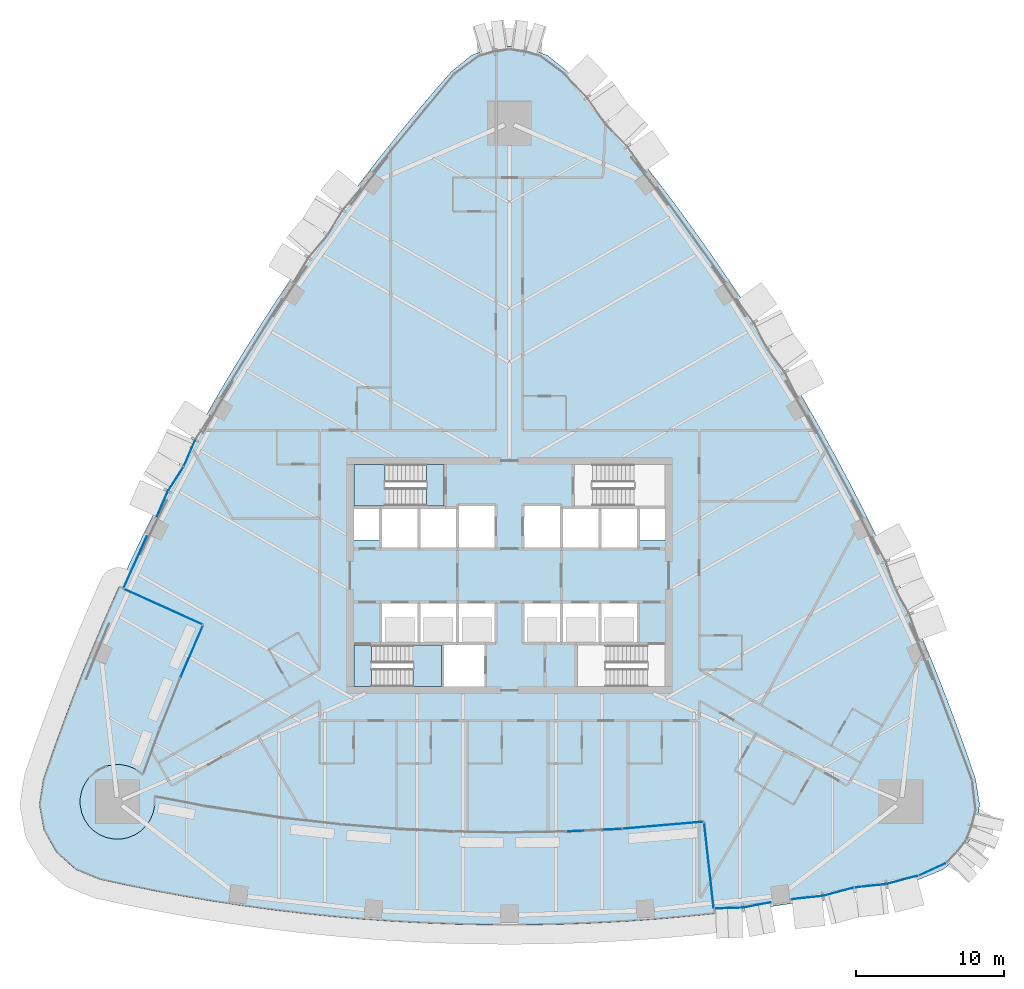
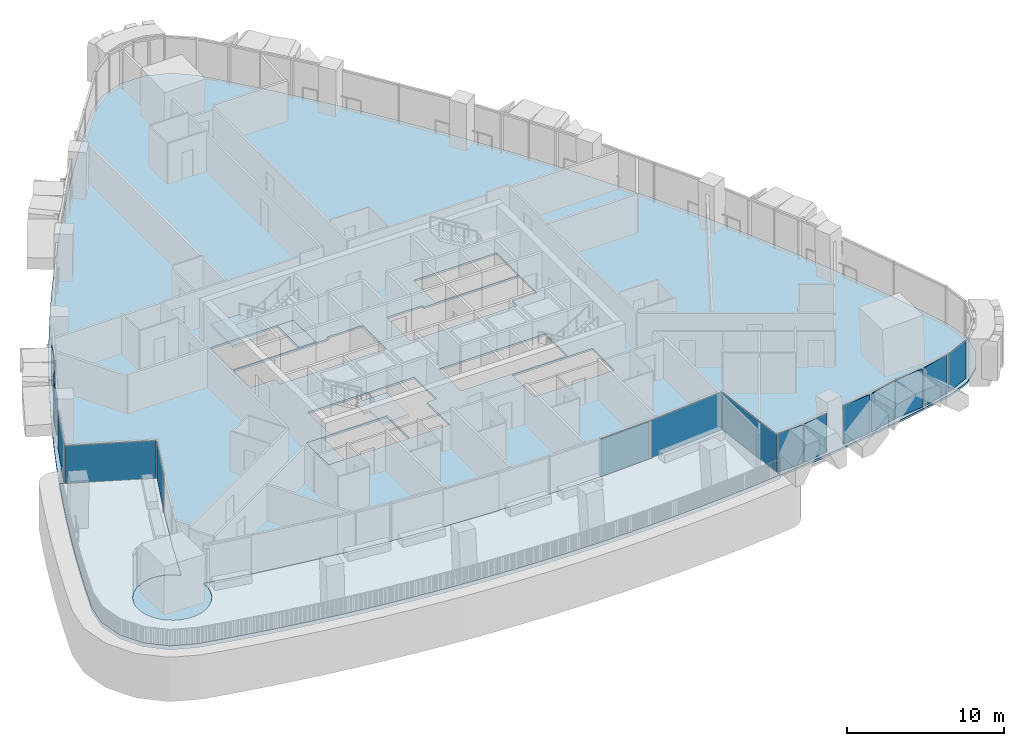
# One storey, part 9 of 22: 16 plates, 6 slabs, 12 elements without a shape of their own.
"""IFC4 building model written with IfcOpenShell, lengths in metres."""

import ifcopenshell
import ifcopenshell.guid

model = None  # the IFC model being written
_history = None  # IfcOwnerHistory: only IFC2X3 demands one
_inside = {}  # id of a spatial element -> (the spatial element, [elements in it])
_under = {}  # id of a project, library or spatial element -> (it, [spatial elements below it])
_declared = {}  # id of a project -> (the project, [libraries it declares])
_typed = {}  # id of a type object -> (the type object, [elements of that type])
_made_of = {}  # id of a material, layer set ... -> (it, [elements and type objects made of it])


def new_model(schema):
    """Start an empty IFC model of exactly this schema.

    Asked for "IFC4X3", IfcOpenShell would pick the latest addendum, in which some entities
    have other attributes; the version numbers below select the first issue.
    IFC2X3 requires an IfcOwnerHistory on every rooted entity: one is made here for all.
    """
    global model, _history
    if schema == "IFC4X3":
        model = ifcopenshell.file(schema_version=(4, 3, 0, 0))
    else:
        model = ifcopenshell.file(schema=schema)
    _inside.clear()
    _under.clear()
    _declared.clear()
    _typed.clear()
    _made_of.clear()
    _history = None
    if model.schema == "IFC2X3":
        org = make("IfcOrganization", Name="unknown")
        user = make(
            "IfcPersonAndOrganization",
            ThePerson=make("IfcPerson", FamilyName="unknown"),
            TheOrganization=org,
        )
        app = make(
            "IfcApplication",
            ApplicationDeveloper=org,
            Version="unknown",
            ApplicationFullName="unknown",
            ApplicationIdentifier="unknown",
        )
        _history = make(
            "IfcOwnerHistory",
            OwningUser=user,
            OwningApplication=app,
            ChangeAction="ADDED",
            CreationDate=0,
        )
    return model


def make(cls, **values):
    """One entity of the class cls with the attributes given. An attribute that is None is left unset."""
    return model.create_entity(
        cls, **{name: value for name, value in values.items() if value is not None}
    )


def rooted(cls, **values):
    """An entity with a GlobalId (a new one), such as an element, a storey or a relation."""
    return make(cls, GlobalId=ifcopenshell.guid.new(), OwnerHistory=_history, **values)


def si_unit(unit_type, name, prefix=None):
    """IfcSIUnit, for example si_unit("LENGTHUNIT", "METRE", prefix="MILLI")."""
    return make("IfcSIUnit", UnitType=unit_type, Prefix=prefix, Name=name)


def assignment(units):
    """IfcUnitAssignment: the units of a project."""
    return None if units is None else make("IfcUnitAssignment", Units=units)


def point(xyz):
    """IfcCartesianPoint."""
    return None if xyz is None else make("IfcCartesianPoint", Coordinates=xyz)


def direction(xyz):
    """IfcDirection."""
    return None if xyz is None else make("IfcDirection", DirectionRatios=xyz)


def frame(location, z_axis=None, x_axis=None):
    """IfcAxis2Placement3D, a coordinate frame: its origin and axes. An axis left out is left unset."""
    return make(
        "IfcAxis2Placement3D",
        Location=point(location),
        Axis=direction(z_axis),
        RefDirection=direction(x_axis),
    )


def frame_2d(location, x_axis=None):
    """IfcAxis2Placement2D, a coordinate frame in the plane: its origin and x axis."""
    return make(
        "IfcAxis2Placement2D", Location=point(location), RefDirection=direction(x_axis)
    )


def origin():
    """The frame at (0, 0, 0) with its axes left unset."""
    return frame((0.0, 0.0, 0.0))


def origin_2d():
    """The frame at (0, 0) in the plane with its x axis left unset."""
    return frame_2d((0.0, 0.0))


def place(relative_to, where):
    """IfcLocalPlacement: puts the frame where relative to a parent placement (None: the world)."""
    return make(
        "IfcLocalPlacement", PlacementRelTo=relative_to, RelativePlacement=where
    )


def context(
    kind, dimensions, precision=None, world=None, true_north=None, identifier=None
):
    """IfcGeometricRepresentationContext, for example the 3D "Model" context."""
    return make(
        "IfcGeometricRepresentationContext",
        ContextIdentifier=identifier,
        ContextType=kind,
        CoordinateSpaceDimension=dimensions,
        Precision=precision,
        WorldCoordinateSystem=world,
        TrueNorth=true_north,
    )


def subcontext(parent, identifier, kind, view, scale=None):
    """IfcGeometricRepresentationSubContext, for example "Body" below "Model"."""
    return make(
        "IfcGeometricRepresentationSubContext",
        ContextIdentifier=identifier,
        ContextType=kind,
        ParentContext=parent,
        TargetScale=scale,
        TargetView=view,
    )


def project(units=None, contexts=None):
    """IfcProject with its units and contexts."""
    return rooted(
        "IfcProject",
        Name="project",
        RepresentationContexts=contexts,
        UnitsInContext=assignment(units),
    )


def spatial(cls, under=None, at=None, **own):
    """A site, building, storey or space (cls), placed at a placement, below another one or the project."""
    s = rooted(cls, ObjectPlacement=at, **own)
    if under is not None:
        _under.setdefault(under.id(), (under, []))[1].append(s)
    return s


def polyline(points):
    """IfcPolyline through the points."""
    return make("IfcPolyline", Points=[point(p) for p in points])


def profile(cls, at=None, kind="AREA", **sizes):
    """A parametric profile (cls). Its sizes go by their IFC names, for example OverallWidth=200.0."""
    return make(cls, ProfileType=kind, Position=at, **sizes)


def rectangle(**sizes):
    """IfcRectangleProfileDef."""
    return profile("IfcRectangleProfileDef", **sizes)


def outline(outer, holes=None, kind="AREA"):
    """IfcArbitraryClosedProfileDef: a profile drawn as a closed curve; with holes, ...WithVoids."""
    if holes is None:
        return make("IfcArbitraryClosedProfileDef", ProfileType=kind, OuterCurve=outer)
    return make(
        "IfcArbitraryProfileDefWithVoids",
        ProfileType=kind,
        OuterCurve=outer,
        InnerCurves=holes,
    )


def extrude(swept, where, along, depth):
    """IfcExtrudedAreaSolid: the profile swept, set in the frame where, extruded along a direction by depth."""
    return make(
        "IfcExtrudedAreaSolid",
        SweptArea=swept,
        Position=where,
        ExtrudedDirection=direction(along),
        Depth=depth,
    )


def shape(context_of_items, identifier, shape_type, items):
    """IfcShapeRepresentation: the items that make up one representation, for example the "Body"."""
    return make(
        "IfcShapeRepresentation",
        ContextOfItems=context_of_items,
        RepresentationIdentifier=identifier,
        RepresentationType=shape_type,
        Items=items,
    )


def material(Name=None, Category=None):
    """IfcMaterial."""
    return make("IfcMaterial", Name=Name, Category=Category)


def layer(
    of_material, thickness, ventilated=None, Name=None, Category=None, Priority=None
):
    """IfcMaterialLayer: one layer of a wall or slab, of a material (None: an air gap)."""
    return make(
        "IfcMaterialLayer",
        Material=of_material,
        LayerThickness=thickness,
        IsVentilated=ventilated,
        Name=Name,
        Category=Category,
        Priority=Priority,
    )


def layer_set(layers, Name=None):
    """IfcMaterialLayerSet."""
    return make("IfcMaterialLayerSet", MaterialLayers=layers, LayerSetName=Name)


def made_of(thing, what):
    """Note that an element or type object is made of a material, layer set ...; save() writes the relation."""
    if what is not None:
        _made_of.setdefault(what.id(), (what, []))[1].append(thing)
    return thing


def type_object(cls, material=None, **own):
    """A type object (cls), such as IfcWallType, which elements share."""
    return made_of(rooted(cls, **own), material)


def element(
    cls,
    number,
    at=None,
    inside=None,
    cuts=None,
    type_object=None,
    material=None,
    context=None,
    identifier="Body",
    shape_type=None,
    held_by="IfcProductDefinitionShape",
    body=None,
    shapes=None,
    **own,
):
    """One element of the class cls, such as IfcWall. Its Tag is "e" and its number.

    at: its placement. inside: the storey or other place that contains it. cuts: it is an
    opening in that element (IfcRelVoidsElement). A single representation is given by context,
    identifier, shape_type and body (its items); several are given by shapes. held_by: the class
    of the entity that holds the representations. save() writes the other relations.
    """
    e = rooted(cls, Tag="e%d" % number, ObjectPlacement=at, **own)
    if body is not None:
        shapes = [shape(context, identifier, shape_type, body)]
    if shapes is not None:
        e.Representation = make(held_by, Representations=shapes)
    if inside is not None:
        _inside.setdefault(inside.id(), (inside, []))[1].append(e)
    if cuts is not None:
        rooted(
            "IfcRelVoidsElement", RelatingBuildingElement=cuts, RelatedOpeningElement=e
        )
    if type_object is not None:
        _typed.setdefault(type_object.id(), (type_object, []))[1].append(e)
    return made_of(e, material)


def aggregate(whole, parts):
    """IfcRelAggregates: a whole, such as a stair, and the parts it consists of."""
    return rooted("IfcRelAggregates", RelatingObject=whole, RelatedObjects=parts)


def save(model, path):
    """Write the relations noted so far, then the file.

    IfcRelAggregates (storeys below a building ...), IfcRelContainedInSpatialStructure (elements
    in a storey), IfcRelDefinesByType, IfcRelAssociatesMaterial and IfcRelDeclares: one each for
    every whole, place, type object, material and project.
    """
    for whole, parts in _under.values():
        aggregate(whole, parts)
    for where, things in _inside.values():
        rooted(
            "IfcRelContainedInSpatialStructure",
            RelatedElements=things,
            RelatingStructure=where,
        )
    for kind, things in _typed.values():
        rooted("IfcRelDefinesByType", RelatedObjects=things, RelatingType=kind)
    for what, things in _made_of.values():
        rooted("IfcRelAssociatesMaterial", RelatedObjects=things, RelatingMaterial=what)
    for by, libraries in _declared.values():
        rooted("IfcRelDeclares", RelatingContext=by, RelatedDefinitions=libraries)
    model.write(path)


model = new_model("IFC4")

# Units and contexts
model_context = context("Model", 3, precision=1e-05, world=origin(), true_north=direction((0.0, 1.0)))
body_context = subcontext(model_context, "Body", "Model", "MODEL_VIEW")
ifc_project = project(units=[si_unit("LENGTHUNIT", "METRE"), si_unit("AREAUNIT", "SQUARE_METRE"), si_unit("VOLUMEUNIT", "CUBIC_METRE"), si_unit("PLANEANGLEUNIT", "RADIAN"), si_unit("MASSUNIT", "GRAM", prefix="KILO")], contexts=[model_context])

# Site, building, storey
site_placement = place(None, origin())
site = spatial("IfcSite", under=ifc_project, at=site_placement, CompositionType="ELEMENT")
building_placement = place(site_placement, origin())
building = spatial("IfcBuilding", under=site, at=building_placement, Name="Sierra Prisma Convention Tower", CompositionType="ELEMENT")
storey_placement = place(building_placement, frame((0.0, 0.0, 73.89990234375)))
storey = spatial("IfcBuildingStorey", under=building, at=storey_placement, Name="L14", CompositionType="ELEMENT", Elevation=73.89990234375)

# Curtain wall, plate
ifc_material_1 = material(Name="Aluminium and glass curtain wall", Category="aluminium")
ifc_layer_1 = layer(ifc_material_1, 0.179931640625)
ifc_layer_set_1 = layer_set([ifc_layer_1], Name="CW-1 Plain shaft curtain wall")
curtain_wall_type_1 = type_object("IfcCurtainWallType", Name="CW-1 Plain shaft curtain wall", PredefinedType="NOTDEFINED", material=ifc_layer_set_1)
curtain_wall_1_placement = place(storey_placement, origin())
curtain_wall_1 = element("IfcCurtainWall", 1, at=curtain_wall_1_placement, inside=storey, type_object=curtain_wall_type_1, Name="CW-1 SE1 L14", PredefinedType="NOTDEFINED")
ifc_material_2 = material(Name="Tinted glass bronze-grey IGU", Category="glass")
ifc_layer_2 = layer(ifc_material_2, 0.028076171875)
ifc_layer_set_2 = layer_set([ifc_layer_2], Name="CW-1 glass panel")
plate_type_1 = type_object("IfcPlateType", Name="CW-1 glass panel", PredefinedType="CURTAIN_PANEL", material=ifc_layer_set_2)
plate_1_placement = place(storey_placement, frame((28.529541015625, -19.82958984375, 0.0), z_axis=(0.0, 0.0, 1.0), x_axis=(0.908544332515, 0.41778845826, 0.0)))
plate_1 = element("IfcPlate", 2, at=plate_1_placement, type_object=plate_type_1, Name="CW-1 panel SE1.1", PredefinedType="CURTAIN_PANEL", context=body_context, shape_type="SweptSolid", body=[
    extrude(rectangle(XDim=1.927001953125, YDim=0.028076171875, at=origin_2d()), origin(), (0.0, 0.0, 1.0), 2.97998046875),
])
aggregate(curtain_wall_1, [plate_1])

curtain_wall_2_placement = place(storey_placement, origin())
curtain_wall_2 = element("IfcCurtainWall", 3, at=curtain_wall_2_placement, inside=storey, type_object=curtain_wall_type_1, Name="CW-1 NW5 L14", PredefinedType="NOTDEFINED")
plate_2_placement = place(storey_placement, frame((-25.250732421875, 0.8984375, 0.0), z_axis=(0.0, 0.0, 1.0), x_axis=(-0.410964756687, -0.911651231975, 0.0)))
plate_2 = element("IfcPlate", 4, at=plate_2_placement, type_object=plate_type_1, Name="CW-1 panel NW5.1", PredefinedType="CURTAIN_PANEL", context=body_context, shape_type="SweptSolid", body=[
    extrude(rectangle(XDim=3.789794921875, YDim=0.028076171875, at=origin_2d()), origin(), (0.0, 0.0, 1.0), 2.97998046875),
])
aggregate(curtain_wall_2, [plate_2])

# Curtain wall, plates
ifc_material_3 = material(Name="Aluminium and glass curtain wall", Category="aluminium")
ifc_layer_3 = layer(ifc_material_3, 0.179931640625)
ifc_layer_set_3 = layer_set([ifc_layer_3], Name="CW-2 Faceted crystal curtain wall")
curtain_wall_type_2 = type_object("IfcCurtainWallType", Name="CW-2 Faceted crystal curtain wall", PredefinedType="NOTDEFINED", material=ifc_layer_set_3)
curtain_wall_3_placement = place(storey_placement, origin())
curtain_wall_3 = element("IfcCurtainWall", 5, at=curtain_wall_3_placement, inside=storey, type_object=curtain_wall_type_2, Name="CW-2 S5b L14", PredefinedType="NOTDEFINED")
ifc_material_4 = material(Name="Tinted glass bronze-grey IGU", Category="glass")
ifc_layer_4 = layer(ifc_material_4, 0.028076171875)
ifc_layer_set_4 = layer_set([ifc_layer_4], Name="CW-2 crystal pane")
plate_type_2 = type_object("IfcPlateType", Name="CW-2 crystal pane", PredefinedType="CURTAIN_PANEL", material=ifc_layer_set_4)
plate_3_placement = place(storey_placement, frame((13.852783203125, -22.484619140625, 0.0), z_axis=(0.031772030991, -0.999495141582, 0.0), x_axis=(0.999495141582, 0.031772030991, 0.0)))
plate_3 = element("IfcPlate", 6, at=plate_3_placement, type_object=plate_type_2, Name="CW-2 pane S5b.1.1", PredefinedType="CURTAIN_PANEL", context=body_context, shape_type="SweptSolid", body=[
    extrude(outline(polyline([(0.0, 0.0), (1.8441927749962221, 0.0), (1.8441927749962221, 2.97998046875), (0.0, 2.97998046875), (0.0, 0.0)])), origin(), (0.0, 0.0, -1.0), 0.028076171875),
])
plate_4_placement = place(storey_placement, frame((17.63623046875, -22.065673828125, 0.0), z_axis=(0.187732606219, -0.98222017316, 0.0), x_axis=(-0.98222017316, -0.187732606219, 0.0)))
plate_4 = element("IfcPlate", 7, at=plate_4_placement, type_object=plate_type_2, Name="CW-2 pane S5b.1.2", PredefinedType="CURTAIN_PANEL", context=body_context, shape_type="SweptSolid", body=[
    extrude(outline(polyline([(0.0, 0.0), (1.8440664795633988, 0.0), (1.8440664795633988, -2.97998046875), (0.0, -2.97998046875), (0.0, 0.0)])), origin(), (0.0, 0.0, -1.0), 0.028076171875),
])
aggregate(curtain_wall_3, [plate_3, plate_4])

curtain_wall_4_placement = place(storey_placement, origin())
curtain_wall_4 = element("IfcCurtainWall", 8, at=curtain_wall_4_placement, inside=storey, type_object=curtain_wall_type_2, Name="CW-2 S6 L14", PredefinedType="NOTDEFINED")
plate_5_placement = place(storey_placement, frame((18.999755859375, -21.862060546875, 0.0), z_axis=(0.105523279366, -0.994416832878, 0.0), x_axis=(0.994416832878, 0.105523279366, 0.0)))
plate_5 = element("IfcPlate", 9, at=plate_5_placement, type_object=plate_type_2, Name="CW-2 pane S6.1.1", PredefinedType="CURTAIN_PANEL", context=body_context, shape_type="SweptSolid", body=[
    extrude(outline(polyline([(0.0, 0.0), (2.09151124117131, 0.0), (2.09151124117131, 2.97998046875), (0.0, 2.97998046875), (0.0, 0.0)])), origin(), (0.0, 0.0, -1.0), 0.028076171875),
])
plate_6_placement = place(storey_placement, frame((23.226318359375, -21.074462890625, 0.0), z_axis=(0.259747392498, -0.965676598086, 0.0), x_axis=(-0.965676598086, -0.259747392498, 0.0)))
plate_6 = element("IfcPlate", 10, at=plate_6_placement, type_object=plate_type_2, Name="CW-2 pane S6.1.2", PredefinedType="CURTAIN_PANEL", context=body_context, shape_type="SweptSolid", body=[
    extrude(outline(polyline([(0.0, 0.0), (2.091312199139031, 0.0), (2.091312199139031, -2.97998046875), (0.0, -2.97998046875), (0.0, 0.0)])), origin(), (0.0, 0.0, -1.0), 0.028076171875),
])
plate_7_placement = place(storey_placement, frame((23.295166015625, -21.061767578125, 0.0), z_axis=(0.105535529666, -0.994415532852, 0.0), x_axis=(0.994415532852, 0.105535529666, 0.0)))
plate_7 = element("IfcPlate", 11, at=plate_7_placement, type_object=plate_type_2, Name="CW-2 pane S6.2.1", PredefinedType="CURTAIN_PANEL", context=body_context, shape_type="SweptSolid", body=[
    extrude(outline(polyline([(0.0, 0.0), (2.091268463782906, 0.0), (2.091268463782906, 2.97998046875), (0.0, 2.97998046875), (0.0, 0.0)])), origin(), (0.0, 0.0, -1.0), 0.028076171875),
])
plate_8_placement = place(storey_placement, frame((27.521728515625, -20.274169921875, 0.0), z_axis=(0.259747392498, -0.965676598086, 0.0), x_axis=(-0.965676598086, -0.259747392498, 0.0)))
plate_8 = element("IfcPlate", 12, at=plate_8_placement, type_object=plate_type_2, Name="CW-2 pane S6.2.2", PredefinedType="CURTAIN_PANEL", context=body_context, shape_type="SweptSolid", body=[
    extrude(outline(polyline([(0.0, 0.0), (2.091312199139031, 0.0), (2.091312199139031, -2.97998046875), (0.0, -2.97998046875), (0.0, 0.0)])), origin(), (0.0, 0.0, -1.0), 0.028076171875),
])
aggregate(curtain_wall_4, [plate_5, plate_6, plate_7, plate_8])

curtain_wall_5_placement = place(storey_placement, origin())
curtain_wall_5 = element("IfcCurtainWall", 13, at=curtain_wall_5_placement, inside=storey, type_object=curtain_wall_type_2, Name="CW-2 NW4 L14", PredefinedType="NOTDEFINED")
plate_9_placement = place(storey_placement, frame((-21.9833984375, 7.387451171875, 0.0), z_axis=(-0.916555932262, 0.39990651787, 0.0), x_axis=(0.39990651787, 0.916555932262, 0.0)))
plate_9 = element("IfcPlate", 14, at=plate_9_placement, type_object=plate_type_2, Name="CW-2 pane NW4.1.2", PredefinedType="CURTAIN_PANEL", context=body_context, shape_type="SweptSolid", body=[
    extrude(outline(polyline([(0.0, 0.0), (1.8675018748180778, 0.0), (1.8675018748180778, -2.97998046875), (0.0, -2.97998046875), (0.0, 0.0)])), origin(), (0.0, 0.0, -1.0), 0.028076171875),
])
plate_10_placement = place(storey_placement, frame((-22.01611328125, 7.32568359375, 0.0), z_axis=(-0.842750620632, 0.538304181133, 0.0), x_axis=(-0.538304181133, -0.842750620632, 0.0)))
plate_10 = element("IfcPlate", 15, at=plate_10_placement, type_object=plate_type_2, Name="CW-2 pane NW4.2.1", PredefinedType="CURTAIN_PANEL", context=body_context, shape_type="SweptSolid", body=[
    extrude(outline(polyline([(0.0, 0.0), (1.8676635422648418, 0.0), (1.8676635422648418, 2.9799804687500004), (0.0, 2.9799804687500004), (0.0, 0.0)])), origin(), (0.0, 0.0, -1.0), 0.028076171875),
])
plate_11_placement = place(storey_placement, frame((-23.829345703125, 3.92578125, 0.0), z_axis=(-0.916555932262, 0.39990651787, 0.0), x_axis=(0.39990651787, 0.916555932262, 0.0)))
plate_11 = element("IfcPlate", 16, at=plate_11_placement, type_object=plate_type_2, Name="CW-2 pane NW4.2.2", PredefinedType="CURTAIN_PANEL", context=body_context, shape_type="SweptSolid", body=[
    extrude(outline(polyline([(0.0, 0.0), (1.8675018748180778, 0.0), (1.8675018748180778, -2.97998046875), (0.0, -2.97998046875), (0.0, 0.0)])), origin(), (0.0, 0.0, -1.0), 0.028076171875),
])
aggregate(curtain_wall_5, [plate_9, plate_10, plate_11])

# Curtain wall, plate
ifc_material_5 = material(Name="Aluminium and glass curtain wall", Category="aluminium")
ifc_layer_5 = layer(ifc_material_5, 0.179931640625)
ifc_layer_set_5 = layer_set([ifc_layer_5], Name="CW-6 Terrace recess curtain wall")
curtain_wall_type_3 = type_object("IfcCurtainWallType", Name="CW-6 Terrace recess curtain wall", PredefinedType="NOTDEFINED", material=ifc_layer_set_5)
curtain_wall_6_placement = place(storey_placement, origin())
curtain_wall_6 = element("IfcCurtainWall", 17, at=curtain_wall_6_placement, inside=storey, type_object=curtain_wall_type_3, Name="CW-6 R1 L14", PredefinedType="NOTDEFINED")
ifc_material_6 = material(Name="Tinted glass bronze-grey IGU", Category="glass")
ifc_layer_6 = layer(ifc_material_6, 0.028076171875)
ifc_layer_set_6 = layer_set([ifc_layer_6], Name="CW-6 glass panel")
plate_type_3 = type_object("IfcPlateType", Name="CW-6 glass panel", PredefinedType="CURTAIN_PANEL", material=ifc_layer_set_6)
plate_12_placement = place(storey_placement, frame((-21.427978515625, -5.1015625, 0.000244140625), z_axis=(0.0, 0.0, 1.0), x_axis=(-0.398381731979, -0.917219709571, 0.0)))
plate_12 = element("IfcPlate", 18, at=plate_12_placement, type_object=plate_type_3, Name="CW-6 panel R1.1", PredefinedType="CURTAIN_PANEL", context=body_context, shape_type="SweptSolid", body=[
    extrude(rectangle(XDim=3.728271484375, YDim=0.028076171875, at=origin_2d()), origin(), (0.0, 0.0, 1.0), 2.919921875),
])
aggregate(curtain_wall_6, [plate_12])

curtain_wall_7_placement = place(storey_placement, origin())
curtain_wall_7 = element("IfcCurtainWall", 19, at=curtain_wall_7_placement, inside=storey, type_object=curtain_wall_type_3, Name="CW-6 R38 L14", PredefinedType="NOTDEFINED")
plate_13_placement = place(storey_placement, frame((5.6728515625, -17.18505859375, 0.000244140625), z_axis=(0.0, 0.0, 1.0), x_axis=(0.998869669681, 0.047532967413, 0.0)))
plate_13 = element("IfcPlate", 20, at=plate_13_placement, type_object=plate_type_3, Name="CW-6 panel R38.1", PredefinedType="CURTAIN_PANEL", context=body_context, shape_type="SweptSolid", body=[
    extrude(rectangle(XDim=3.6435546875, YDim=0.028076171875, at=origin_2d()), origin(), (0.0, 0.0, 1.0), 2.919921875),
])
aggregate(curtain_wall_7, [plate_13])

curtain_wall_8_placement = place(storey_placement, origin())
curtain_wall_8 = element("IfcCurtainWall", 21, at=curtain_wall_8_placement, inside=storey, type_object=curtain_wall_type_3, Name="CW-6 R39 L14", PredefinedType="NOTDEFINED")
plate_14_placement = place(storey_placement, frame((10.347412109375, -16.85205078125, 0.000244140625), z_axis=(0.0, 0.0, 1.0), x_axis=(0.996212956637, 0.086946794241, 0.0)))
plate_14 = element("IfcPlate", 22, at=plate_14_placement, type_object=plate_type_3, Name="CW-6 panel R39.1", PredefinedType="CURTAIN_PANEL", context=body_context, shape_type="SweptSolid", body=[
    extrude(rectangle(XDim=5.45068359375, YDim=0.028076171875, at=origin_2d()), origin(), (0.0, 0.0, 1.0), 2.919921875),
])
aggregate(curtain_wall_8, [plate_14])

curtain_wall_9_placement = place(storey_placement, origin())
curtain_wall_9 = element("IfcCurtainWall", 23, at=curtain_wall_9_placement, inside=storey, type_object=curtain_wall_type_3, Name="CW-6 RT1 L14", PredefinedType="NOTDEFINED")
plate_15_placement = place(storey_placement, frame((-23.357666015625, -2.110107421875, 0.000244140625), z_axis=(0.0, 0.0, 1.0), x_axis=(0.911651231975, -0.410964756687, 0.0)))
plate_15 = element("IfcPlate", 24, at=plate_15_placement, type_object=plate_type_3, Name="CW-6 panel RT1.1", PredefinedType="CURTAIN_PANEL", context=body_context, shape_type="SweptSolid", body=[
    extrude(rectangle(XDim=5.7841796875, YDim=0.028076171875, at=origin_2d()), origin(), (0.0, 0.0, 1.0), 2.919921875),
])
aggregate(curtain_wall_9, [plate_15])

curtain_wall_10_placement = place(storey_placement, origin())
curtain_wall_10 = element("IfcCurtainWall", 25, at=curtain_wall_10_placement, inside=storey, type_object=curtain_wall_type_3, Name="CW-6 RT2 L14", PredefinedType="NOTDEFINED")
plate_16_placement = place(storey_placement, frame((13.457763671875, -19.550537109375, 0.000244140625), z_axis=(0.0, 0.0, 1.0), x_axis=(0.110020327126, -0.993929337337, 0.0)))
plate_16 = element("IfcPlate", 26, at=plate_16_placement, type_object=plate_type_3, Name="CW-6 panel RT2.1", PredefinedType="CURTAIN_PANEL", context=body_context, shape_type="SweptSolid", body=[
    extrude(rectangle(XDim=5.779052734375, YDim=0.028076171875, at=origin_2d()), origin(), (0.0, 0.0, 1.0), 2.919921875),
])
aggregate(curtain_wall_10, [plate_16])

# Slab
ifc_material_7 = material(Name="Concrete C35/45", Category="concrete")
ifc_layer_7 = layer(ifc_material_7, 0.14990234375)
ifc_layer_set_7 = layer_set([ifc_layer_7], Name="Composite floor slab 150")
slab_type_1 = type_object("IfcSlabType", Name="Composite floor slab 150", PredefinedType="FLOOR", material=ifc_layer_set_7)
slab_1_placement = place(storey_placement, frame((0.0, 0.0, -0.14990234375)))
element("IfcSlab", 27, at=slab_1_placement, inside=storey, type_object=slab_type_1, Name="Floor slab L14 floor", PredefinedType="FLOOR", context=body_context, shape_type="SweptSolid", body=[
    extrude(outline(polyline([(-25.563232421875, 0.96533203125), (-26.354248046875, -0.7568359375), (-20.657470703125, -3.327392578125), (-22.198486328125, -6.87548828125), (-23.60498046875, -10.388671875), (-24.728271484375, -13.43212890625), (-25.26123046875, -13.047119140625), (-25.7177734375, -12.85791015625), (-26.20263671875, -12.761474609375), (-26.69677734375, -12.761474609375), (-27.181640625, -12.85791015625), (-27.850341796875, -13.17431640625), (-28.398681640625, -13.671142578125), (-28.67333984375, -14.082275390625), (-28.862548828125, -14.538818359375), (-28.958740234375, -15.023681640625), (-28.958740234375, -15.517822265625), (-28.862548828125, -16.002685546875), (-28.67333984375, -16.459228515625), (-28.398681640625, -16.8701171875), (-28.049072265625, -17.2197265625), (-27.63818359375, -17.494384765625), (-27.181640625, -17.68359375), (-26.69677734375, -17.77978515625), (-26.20263671875, -17.77978515625), (-25.7177734375, -17.68359375), (-25.26123046875, -17.494384765625), (-24.85009765625, -17.2197265625), (-24.500732421875, -16.8701171875), (-24.22607421875, -16.459228515625), (-24.036865234375, -16.002685546875), (-23.9404296875, -15.517822265625), (-23.95849609375, -14.90283203125), (-20.705810546875, -15.525390625), (-15.0947265625, -16.376708984375), (-11.33447265625, -16.795654296875), (-7.5625, -17.09521484375), (-3.783203125, -17.275146484375), (0.0, -17.3349609375), (3.783203125, -17.275146484375), (7.5625, -17.09521484375), (13.132080078125, -16.609130859375), (13.8173828125, -22.822265625), (13.908203125, -22.812744140625), (15.88525390625, -22.57666015625), (17.858154296875, -22.309326171875), (19.82666015625, -22.0107421875), (21.7900390625, -21.680908203125), (23.748046875, -21.31982421875), (25.699951171875, -20.927978515625), (27.6455078125, -20.505126953125), (29.256591796875, -19.844482421875), (30.561279296875, -18.691650390625), (31.4150390625, -17.174072265625), (31.72314453125, -15.46044921875), (31.451416015625, -13.740478515625), (30.807373046875, -11.866943359375), (30.136962890625, -10.002685546875), (29.43994140625, -8.148193359375), (28.716552734375, -6.303955078125), (27.967041015625, -4.469970703125), (27.191650390625, -2.64697265625), (26.390380859375, -0.8349609375), (25.563232421875, 0.96533203125), (24.7109375, 2.753662109375), (23.8330078125, 4.529541015625), (22.929931640625, 6.29296875), (22.001953125, 8.043212890625), (21.049072265625, 9.7802734375), (20.071533203125, 11.50341796875), (19.06982421875, 13.212646484375), (18.043701171875, 14.907470703125), (16.99365234375, 16.58740234375), (15.919921875, 18.252197265625), (14.822509765625, 19.901611328125), (13.70166015625, 21.535400390625), (12.557861328125, 23.15283203125), (11.39111328125, 24.75390625), (10.20166015625, 26.33837890625), (8.98974609375, 27.905517578125), (7.755859375, 29.45556640625), (6.5, 30.98779296875), (5.222412109375, 32.501953125), (3.92333984375, 33.997802734375), (2.548583984375, 35.106689453125), (0.883056640625, 35.69482421875), (-0.883056640625, 35.69482421875), (-2.548583984375, 35.106689453125), (-3.92333984375, 33.997802734375), (-5.222412109375, 32.501953125), (-6.5, 30.98779296875), (-7.755859375, 29.45556640625), (-8.98974609375, 27.905517578125), (-10.20166015625, 26.33837890625), (-11.39111328125, 24.75390625), (-12.557861328125, 23.15283203125), (-13.70166015625, 21.535400390625), (-14.822509765625, 19.901611328125), (-15.919921875, 18.252197265625), (-16.99365234375, 16.58740234375), (-18.043701171875, 14.907470703125), (-19.06982421875, 13.212646484375), (-20.071533203125, 11.50341796875), (-21.049072265625, 9.7802734375), (-22.001953125, 8.043212890625), (-22.929931640625, 6.29296875), (-23.8330078125, 4.529541015625), (-24.7109375, 2.753662109375), (-25.563232421875, 0.96533203125)]), holes=[polyline([(-4.60009765625, -7.5), (-10.5, -7.5), (-10.5, -4.699951171875), (-4.60009765625, -4.699951171875), (-4.60009765625, -7.5)]), polyline([(-8.699951171875, -4.60009765625), (-8.699951171875, -1.800048828125), (-6.10009765625, -1.800048828125), (-3.5, -1.800048828125), (-0.89990234375, -1.800048828125), (-0.89990234375, -4.60009765625), (-1.60009765625, -4.60009765625), (-1.60009765625, -7.5), (-4.5, -7.5), (-4.5, -4.60009765625), (-6.10009765625, -4.60009765625), (-8.699951171875, -4.60009765625)]), polyline([(-10.5, 4.60009765625), (-8.699951171875, 4.60009765625), (-6.10009765625, 4.60009765625), (-3.5, 4.60009765625), (-3.5, 4.800048828125), (-0.89990234375, 4.800048828125), (-0.89990234375, 1.800048828125), (-3.5, 1.800048828125), (-6.10009765625, 1.800048828125), (-8.699951171875, 1.800048828125), (-8.699951171875, 2.39990234375), (-10.5, 2.39990234375), (-10.5, 4.60009765625)]), polyline([(-4.39990234375, 4.699951171875), (-10.5, 4.699951171875), (-10.5, 7.5), (-4.39990234375, 7.5), (-4.39990234375, 4.699951171875)]), polyline([(10.5, -7.5), (4.60009765625, -7.5), (4.60009765625, -4.699951171875), (10.5, -4.699951171875), (10.5, -7.5)]), polyline([(6.10009765625, -1.800048828125), (8.699951171875, -1.800048828125), (8.699951171875, -4.60009765625), (6.10009765625, -4.60009765625), (3.5, -4.60009765625), (0.89990234375, -4.60009765625), (0.89990234375, -1.800048828125), (3.5, -1.800048828125), (6.10009765625, -1.800048828125)]), polyline([(10.5, 4.60009765625), (10.5, 2.39990234375), (8.699951171875, 2.39990234375), (8.699951171875, 1.800048828125), (6.10009765625, 1.800048828125), (3.5, 1.800048828125), (0.89990234375, 1.800048828125), (0.89990234375, 4.800048828125), (3.5, 4.800048828125), (3.5, 4.60009765625), (6.10009765625, 4.60009765625), (8.699951171875, 4.60009765625), (10.5, 4.60009765625)]), polyline([(4.39990234375, 4.699951171875), (4.39990234375, 7.5), (10.5, 7.5), (10.5, 4.699951171875), (4.39990234375, 4.699951171875)])]), origin(), (0.0, 0.0, 1.0), 0.14990234375),
])

# Stair, slab
ifc_material_8 = material(Name="Concrete C30/37", Category="concrete")
stair_type = type_object("IfcStairType", Name="Stair dog-leg 1200 RC", PredefinedType="HALF_TURN_STAIR", material=ifc_material_8)
stair_1_placement = place(storey_placement, origin())
stair_1 = element("IfcStair", 28, at=stair_1_placement, inside=storey, type_object=stair_type, Name="L14 S1", PredefinedType="HALF_TURN_STAIR")
ifc_material_9 = material(Name="Concrete C35/45", Category="concrete")
ifc_layer_8 = layer(ifc_material_9, 0.199951171875)
ifc_layer_set_8 = layer_set([ifc_layer_8], Name="Stair landing slab")
slab_type_2 = type_object("IfcSlabType", Name="Stair landing slab", PredefinedType="LANDING", material=ifc_layer_set_8)
slab_2_placement = place(storey_placement, frame((0.0, 0.0, 1.650146484375)))
slab_2 = element("IfcSlab", 29, at=slab_2_placement, type_object=slab_type_2, Name="S1 landing 1", PredefinedType="LANDING", context=body_context, shape_type="SweptSolid", body=[
    extrude(outline(polyline([(-4.60009765625, -4.699951171875), (-4.60009765625, -7.5), (-6.501953125, -7.5), (-6.501953125, -5.89990234375), (-6.949951171875, -5.89990234375), (-6.949951171875, -4.699951171875), (-4.60009765625, -4.699951171875)])), origin(), (0.0, 0.0, 1.0), 0.199951171875),
])
aggregate(stair_1, [slab_2])

# Slab
slab_3_placement = place(storey_placement, frame((0.0, 0.0, -0.199951171875)))
element("IfcSlab", 30, at=slab_3_placement, inside=storey, type_object=slab_type_2, Name="S1 floor landing L14", PredefinedType="LANDING", context=body_context, shape_type="SweptSolid", body=[
    extrude(outline(polyline([(-10.5, -7.5), (-9.298095703125, -7.5), (-9.298095703125, -4.699951171875), (-10.5, -4.699951171875), (-10.5, -7.5)])), origin(), (0.0, 0.0, 1.0), 0.199951171875),
])

# Stair, slab
stair_2_placement = place(storey_placement, origin())
stair_2 = element("IfcStair", 31, at=stair_2_placement, inside=storey, type_object=stair_type, Name="L14 S3", PredefinedType="HALF_TURN_STAIR")
slab_4_placement = place(storey_placement, frame((0.0, 0.0, 1.650146484375)))
slab_4 = element("IfcSlab", 32, at=slab_4_placement, type_object=slab_type_2, Name="S3 landing 1", PredefinedType="LANDING", context=body_context, shape_type="SweptSolid", body=[
    extrude(outline(polyline([(-7.949951171875, 5.89990234375), (-7.949951171875, 4.699951171875), (-10.5, 4.699951171875), (-10.5, 7.5), (-8.39794921875, 7.5), (-8.39794921875, 5.89990234375), (-7.949951171875, 5.89990234375)])), origin(), (0.0, 0.0, 1.0), 0.199951171875),
])
aggregate(stair_2, [slab_4])

# Slabs
slab_5_placement = place(storey_placement, frame((0.0, 0.0, -0.199951171875)))
element("IfcSlab", 33, at=slab_5_placement, inside=storey, type_object=slab_type_2, Name="S3 floor landing L14", PredefinedType="LANDING", context=body_context, shape_type="SweptSolid", body=[
    extrude(outline(polyline([(-4.39990234375, 7.5), (-5.60205078125, 7.5), (-5.60205078125, 4.699951171875), (-4.39990234375, 4.699951171875), (-4.39990234375, 7.5)])), origin(), (0.0, 0.0, 1.0), 0.199951171875),
])
ifc_material_10 = material(Name="Concrete C50/60", Category="concrete")
ifc_layer_9 = layer(ifc_material_10, 0.300048828125)
ifc_layer_set_9 = layer_set([ifc_layer_9], Name="Terrace slab")
slab_type_3 = type_object("IfcSlabType", Name="Terrace slab", PredefinedType="FLOOR", material=ifc_layer_set_9)
slab_6_placement = place(storey_placement, frame((0.0, 0.0, -0.2998046875)))
element("IfcSlab", 34, at=slab_6_placement, inside=storey, type_object=slab_type_3, Name="Terrace slab L14", PredefinedType="FLOOR", context=body_context, shape_type="SweptSolid", body=[
    extrude(outline(polyline([(-26.354248046875, -0.7568359375), (-26.390380859375, -0.8349609375), (-27.191650390625, -2.64697265625), (-27.967041015625, -4.469970703125), (-28.716552734375, -6.303955078125), (-29.43994140625, -8.148193359375), (-30.136962890625, -10.002685546875), (-30.807373046875, -11.866943359375), (-31.451416015625, -13.740478515625), (-31.72314453125, -15.46044921875), (-31.4150390625, -17.174072265625), (-30.561279296875, -18.691650390625), (-29.256591796875, -19.844482421875), (-27.6455078125, -20.505126953125), (-25.699951171875, -20.927978515625), (-23.748046875, -21.31982421875), (-21.7900390625, -21.680908203125), (-19.82666015625, -22.0107421875), (-17.858154296875, -22.309326171875), (-15.88525390625, -22.57666015625), (-13.908203125, -22.812744140625), (-11.927978515625, -23.017578125), (-9.944580078125, -23.19091796875), (-7.95849609375, -23.332763671875), (-5.970703125, -23.443115234375), (-3.981201171875, -23.52197265625), (-1.990966796875, -23.5693359375), (0.0, -23.585205078125), (1.990966796875, -23.5693359375), (3.981201171875, -23.52197265625), (5.970703125, -23.443115234375), (7.95849609375, -23.332763671875), (9.944580078125, -23.19091796875), (11.927978515625, -23.017578125), (13.8173828125, -22.822265625), (13.132080078125, -16.609130859375), (7.5625, -17.09521484375), (3.783203125, -17.275146484375), (0.0, -17.3349609375), (-3.783203125, -17.275146484375), (-7.5625, -17.09521484375), (-11.33447265625, -16.795654296875), (-15.0947265625, -16.376708984375), (-20.705810546875, -15.525390625), (-23.95849609375, -14.90283203125), (-23.9404296875, -15.517822265625), (-24.036865234375, -16.002685546875), (-24.22607421875, -16.459228515625), (-24.500732421875, -16.8701171875), (-24.85009765625, -17.2197265625), (-25.26123046875, -17.494384765625), (-25.7177734375, -17.68359375), (-26.20263671875, -17.77978515625), (-26.69677734375, -17.77978515625), (-27.181640625, -17.68359375), (-27.63818359375, -17.494384765625), (-28.049072265625, -17.2197265625), (-28.398681640625, -16.8701171875), (-28.67333984375, -16.459228515625), (-28.862548828125, -16.002685546875), (-28.958740234375, -15.517822265625), (-28.958740234375, -15.023681640625), (-28.862548828125, -14.538818359375), (-28.67333984375, -14.082275390625), (-28.398681640625, -13.671142578125), (-27.850341796875, -13.17431640625), (-27.181640625, -12.85791015625), (-26.69677734375, -12.761474609375), (-26.20263671875, -12.761474609375), (-25.7177734375, -12.85791015625), (-25.26123046875, -13.047119140625), (-24.728271484375, -13.43212890625), (-23.60498046875, -10.388671875), (-22.198486328125, -6.87548828125), (-20.657470703125, -3.327392578125), (-26.354248046875, -0.7568359375)])), origin(), (0.0, 0.0, 1.0), 0.2998046875),
])

save(model, "model.ifc")
